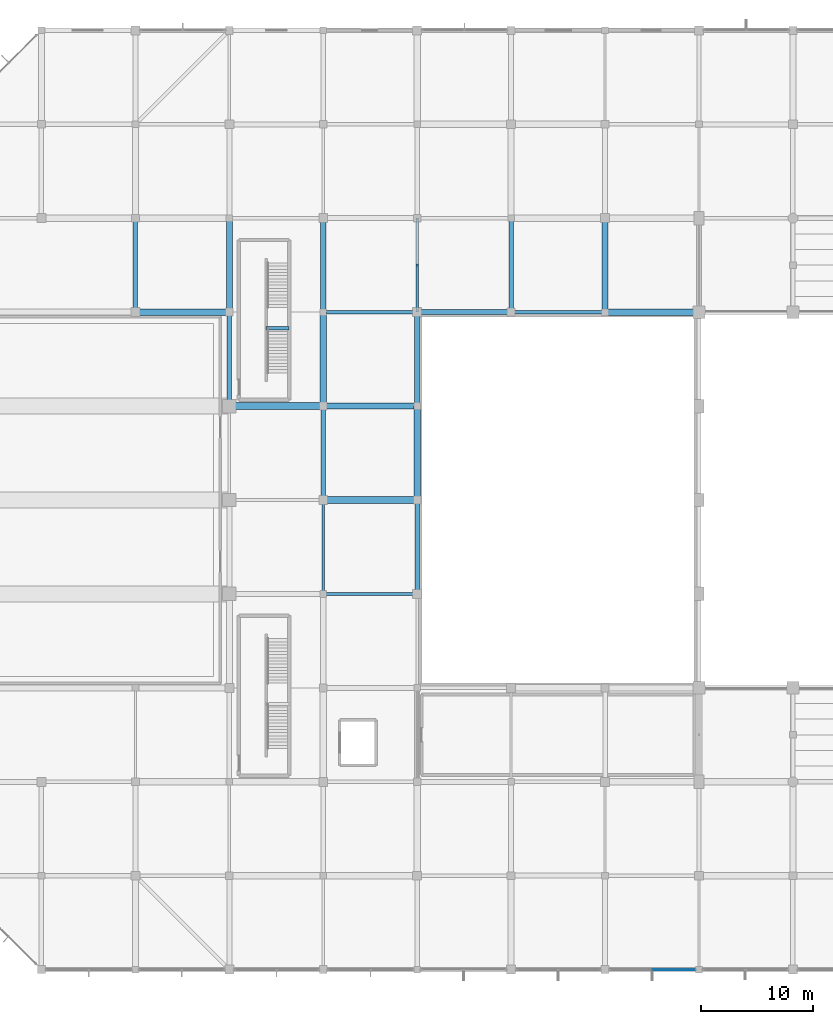
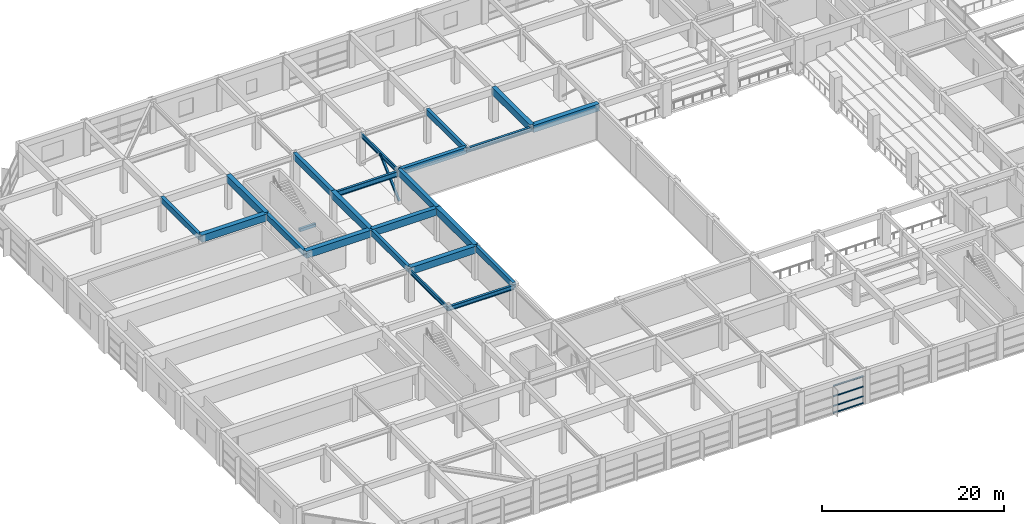
# One storey, part 19 of 62: 23 beams, 5 members, 1 element without a shape of its own.
"""IFC4 building model written with IfcOpenShell, lengths in metres."""

from ifc_helpers import new_model, si_unit, direction, frame, origin, origin_2d, place, context, subcontext, project, spatial, rectangle, hollow_rectangle, i_section, extrude, material, material_profile, profile_set, type_object, element, aggregate, save


model = new_model("IFC4")

# Units and contexts
model_context = context("Model", 3, precision=1e-05, world=origin(), true_north=direction((0.0, 1.0)))
body_context = subcontext(model_context, "Body", "Model", "MODEL_VIEW")
ifc_project = project(units=[si_unit("LENGTHUNIT", "METRE"), si_unit("AREAUNIT", "SQUARE_METRE"), si_unit("VOLUMEUNIT", "CUBIC_METRE"), si_unit("PLANEANGLEUNIT", "RADIAN"), si_unit("MASSUNIT", "GRAM", prefix="KILO")], contexts=[model_context])

# Site, building, storey
site_placement = place(None, origin())
site = spatial("IfcSite", under=ifc_project, at=site_placement, CompositionType="ELEMENT")
building_placement = place(site_placement, origin())
building = spatial("IfcBuilding", under=site, at=building_placement, Name="Xuanlan Plaza Opera House", CompositionType="ELEMENT")
storey_placement = place(building_placement, frame((0.0, 0.0, 14.39990234375)))
storey = spatial("IfcBuildingStorey", under=building, at=storey_placement, Name="L03", CompositionType="ELEMENT", Elevation=14.39990234375)

# Curtain wall, members
ifc_material_1 = material(Name="Anodised Aluminium 6063-T6 and Low-E Glass", Category="aluminium")
curtain_wall_type = type_object("IfcCurtainWallType", Name="ENV-CW-CW-06", PredefinedType="USERDEFINED", material=ifc_material_1)
curtain_wall_placement = place(storey_placement, origin())
curtain_wall = element("IfcCurtainWall", 1, at=curtain_wall_placement, inside=storey, type_object=curtain_wall_type, Name="Acoustic Glazed Wall L03-007", ObjectType="ACOUSTIC GLAZED WALL", PredefinedType="USERDEFINED")
ifc_material_2 = material(Name="Anodised Aluminium 6063-T6", Category="aluminium")
ifc_material_profile_1 = material_profile(ifc_material_2, rectangle(XDim=0.080078125, YDim=0.1650390625, at=origin_2d()), Name="ALU-T 80x165")
ifc_profile_set_1 = profile_set([ifc_material_profile_1], Name="Anodised Aluminium 6063-T6")
member_type_1 = type_object("IfcMemberType", Name="ENV-CWT-04", PredefinedType="USERDEFINED", material=ifc_profile_set_1)
member_1_placement = place(storey_placement, frame((63.06005859375, 16.800048828125, 0.0400390625), z_axis=(1.0, 0.0, 0.0), x_axis=(0.0, 1.0, 0.0)))
member_1 = element("IfcMember", 2, at=member_1_placement, type_object=member_type_1, Name="CW-06 transom 2.1", ObjectType="TRANSOM", PredefinedType="USERDEFINED", context=body_context, shape_type="SweptSolid", body=[
    extrude(rectangle(XDim=0.080078125, YDim=0.1650390625, at=origin_2d()), origin(), (0.0, 0.0, 1.0), 3.75),
])
member_2_placement = place(storey_placement, frame((63.06005859375, 16.800048828125, 0.9501953125), z_axis=(1.0, 0.0, 0.0), x_axis=(0.0, 1.0, 0.0)))
member_2 = element("IfcMember", 3, at=member_2_placement, type_object=member_type_1, Name="CW-06 transom 2.2", ObjectType="TRANSOM", PredefinedType="USERDEFINED", context=body_context, shape_type="SweptSolid", body=[
    extrude(rectangle(XDim=0.080078125, YDim=0.1650390625, at=origin_2d()), origin(), (0.0, 0.0, 1.0), 3.75),
])
member_3_placement = place(storey_placement, frame((63.06005859375, 16.800048828125, 2.25), z_axis=(1.0, 0.0, 0.0), x_axis=(0.0, 1.0, 0.0)))
member_3 = element("IfcMember", 4, at=member_3_placement, type_object=member_type_1, Name="CW-06 transom 2.3", ObjectType="TRANSOM", PredefinedType="USERDEFINED", context=body_context, shape_type="SweptSolid", body=[
    extrude(rectangle(XDim=0.080078125, YDim=0.1650390625, at=origin_2d()), origin(), (0.0, 0.0, 1.0), 3.75),
])
member_4_placement = place(storey_placement, frame((63.06005859375, 16.800048828125, 3.64013671875), z_axis=(1.0, 0.0, 0.0), x_axis=(0.0, 1.0, 0.0)))
member_4 = element("IfcMember", 5, at=member_4_placement, type_object=member_type_1, Name="CW-06 transom 2.4", ObjectType="TRANSOM", PredefinedType="USERDEFINED", context=body_context, shape_type="SweptSolid", body=[
    extrude(rectangle(XDim=0.080078125, YDim=0.1650390625, at=origin_2d()), origin(), (0.0, 0.0, 1.0), 3.75),
])
aggregate(curtain_wall, [member_1, member_2, member_3, member_4])

# Beams
ifc_material_3 = material(Name="Concrete C50", Category="concrete")
ifc_material_profile_2 = material_profile(ifc_material_3, rectangle(XDim=0.60009765625, YDim=0.949951171875, at=origin_2d()), Name="RC-BM 600x950")
ifc_profile_set_2 = profile_set([ifc_material_profile_2], Name="Concrete C50")
beam_type_1 = type_object("IfcBeamType", Name="STR-BM-B-01", PredefinedType="BEAM", material=ifc_profile_set_2)
beam_1_placement = place(storey_placement, frame((33.60009765625, 58.800048828125, 4.025146484375), z_axis=(1.0, 0.0, 0.0), x_axis=(0.0, 1.0, 0.0)))
element("IfcBeam", 6, at=beam_1_placement, inside=storey, type_object=beam_type_1, Name="Grid Beam X L03 5-6/H", PredefinedType="BEAM", context=body_context, shape_type="SweptSolid", body=[
    extrude(rectangle(XDim=0.60009765625, YDim=0.949951171875, at=origin_2d()), origin(), (0.0, 0.0, 1.0), 8.39990234375),
])
beam_2_placement = place(storey_placement, frame((25.199951171875, 67.199951171875, 4.025146484375), z_axis=(1.0, 0.0, 0.0), x_axis=(0.0, 1.0, 0.0)))
element("IfcBeam", 7, at=beam_2_placement, inside=storey, type_object=beam_type_1, Name="Grid Beam X L03 4-5/I", PredefinedType="BEAM", context=body_context, shape_type="SweptSolid", body=[
    extrude(rectangle(XDim=0.60009765625, YDim=0.949951171875, at=origin_2d()), origin(), (0.0, 0.0, 1.0), 8.400146484375),
])
for number, where, z_axis, x_axis, name in (
    (8, (16.800048828125, 75.60009765625, 4.025146484375), (1.0, 0.0, 0.0), (0.0, 1.0, 0.0), "Grid Beam X L03 3-4/J"),
    (9, (58.800048828125, 75.60009765625, 4.025146484375), (1.0, 0.0, 0.0), (0.0, 1.0, 0.0), "Grid Beam X L03 8-9/J"),
):
    element("IfcBeam", number, at=place(storey_placement, frame(where, z_axis=z_axis, x_axis=x_axis)), inside=storey, type_object=beam_type_1, Name=name, PredefinedType="BEAM", context=body_context, shape_type="SweptSolid", body=[
        extrude(rectangle(XDim=0.60009765625, YDim=0.949951171875, at=origin_2d()), origin(), (0.0, 0.0, 1.0), 8.39990234375),
    ])
ifc_material_profile_3 = material_profile(ifc_material_3, rectangle(XDim=0.550048828125, YDim=0.949951171875, at=origin_2d()), Name="RC-BM 550x950")
ifc_profile_set_3 = profile_set([ifc_material_profile_3], Name="Concrete C50")
beam_type_2 = type_object("IfcBeamType", Name="STR-BM-B-02", PredefinedType="BEAM", material=ifc_profile_set_3)
for number, where, z_axis, x_axis, name in (
    (10, (33.60009765625, 67.199951171875, 4.025146484375), (1.0, 0.0, 0.0), (0.0, 1.0, 0.0), "Grid Beam X L03 5-6/I"),
    (11, (25.199951171875, 75.60009765625, 4.025146484375), (0.0, 1.0, 0.0), (-1.0, 0.0, 0.0), "Grid Beam Y L03 4/J-K"),
):
    element("IfcBeam", number, at=place(storey_placement, frame(where, z_axis=z_axis, x_axis=x_axis)), inside=storey, type_object=beam_type_2, Name=name, PredefinedType="BEAM", context=body_context, shape_type="SweptSolid", body=[
        extrude(rectangle(XDim=0.550048828125, YDim=0.949951171875, at=origin_2d()), origin(), (0.0, 0.0, 1.0), 8.39990234375),
    ])
beam_3_placement = place(storey_placement, frame((33.60009765625, 67.199951171875, 4.025146484375), z_axis=(0.0, 1.0, 0.0), x_axis=(-1.0, 0.0, 0.0)))
element("IfcBeam", 12, at=beam_3_placement, inside=storey, type_object=beam_type_2, Name="Grid Beam Y L03 5/I-J", PredefinedType="BEAM", context=body_context, shape_type="SweptSolid", body=[
    extrude(rectangle(XDim=0.550048828125, YDim=0.949951171875, at=origin_2d()), origin(), (0.0, 0.0, 1.0), 8.400146484375),
])
for number, where, z_axis, x_axis, name in (
    (13, (42.0, 58.800048828125, 4.025146484375), (0.0, 1.0, 0.0), (-1.0, 0.0, 0.0), "Grid Beam Y L03 6/H-I"),
    (14, (58.800048828125, 75.60009765625, 4.025146484375), (0.0, 1.0, 0.0), (-1.0, 0.0, 0.0), "Grid Beam Y L03 8/J-K"),
):
    element("IfcBeam", number, at=place(storey_placement, frame(where, z_axis=z_axis, x_axis=x_axis)), inside=storey, type_object=beam_type_2, Name=name, PredefinedType="BEAM", context=body_context, shape_type="SweptSolid", body=[
        extrude(rectangle(XDim=0.550048828125, YDim=0.949951171875, at=origin_2d()), origin(), (0.0, 0.0, 1.0), 8.39990234375),
    ])
ifc_material_4 = material(Name="Concrete C40", Category="concrete")
ifc_material_profile_4 = material_profile(ifc_material_4, rectangle(XDim=0.449951171875, YDim=0.85009765625, at=origin_2d()), Name="RC-BM 450x850")
ifc_profile_set_4 = profile_set([ifc_material_profile_4], Name="Concrete C40")
beam_type_3 = type_object("IfcBeamType", Name="STR-BM-B-04", PredefinedType="BEAM", material=ifc_profile_set_4)
for number, where, z_axis, x_axis, name in (
    (15, (42.0, 75.60009765625, 4.0751953125), (1.0, 0.0, 0.0), (0.0, 1.0, 0.0), "Grid Beam X L03 6-7/J"),
    (16, (33.60009765625, 75.60009765625, 4.0751953125), (0.0, 1.0, 0.0), (-1.0, 0.0, 0.0), "Grid Beam Y L03 5/J-K"),
):
    element("IfcBeam", number, at=place(storey_placement, frame(where, z_axis=z_axis, x_axis=x_axis)), inside=storey, type_object=beam_type_3, Name=name, PredefinedType="BEAM", context=body_context, shape_type="SweptSolid", body=[
        extrude(rectangle(XDim=0.449951171875, YDim=0.85009765625, at=origin_2d()), origin(), (0.0, 0.0, 1.0), 8.39990234375),
    ])
beam_4_placement = place(storey_placement, frame((42.0, 67.199951171875, 4.0751953125), z_axis=(0.0, 1.0, 0.0), x_axis=(-1.0, 0.0, 0.0)))
element("IfcBeam", 17, at=beam_4_placement, inside=storey, type_object=beam_type_3, Name="Grid Beam Y L03 6/I-J", PredefinedType="BEAM", context=body_context, shape_type="SweptSolid", body=[
    extrude(rectangle(XDim=0.449951171875, YDim=0.85009765625, at=origin_2d()), origin(), (0.0, 0.0, 1.0), 8.400146484375),
])
ifc_material_profile_5 = material_profile(ifc_material_4, rectangle(XDim=0.39990234375, YDim=0.75, at=origin_2d()), Name="RC-BM 400x750")
ifc_profile_set_5 = profile_set([ifc_material_profile_5], Name="Concrete C40")
beam_type_4 = type_object("IfcBeamType", Name="STR-BM-B-06", PredefinedType="BEAM", material=ifc_profile_set_5)
beam_5_placement = place(storey_placement, frame((16.800048828125, 75.60009765625, 4.125), z_axis=(0.0, 1.0, 0.0), x_axis=(-1.0, 0.0, 0.0)))
element("IfcBeam", 18, at=beam_5_placement, inside=storey, type_object=beam_type_4, Name="Grid Beam Y L03 3/J-K", PredefinedType="BEAM", context=body_context, shape_type="SweptSolid", body=[
    extrude(rectangle(XDim=0.39990234375, YDim=0.75, at=origin_2d()), origin(), (0.0, 0.0, 1.0), 8.39990234375),
])
beam_6_placement = place(storey_placement, frame((25.199951171875, 67.199951171875, 4.125), z_axis=(0.0, 1.0, 0.0), x_axis=(-1.0, 0.0, 0.0)))
element("IfcBeam", 19, at=beam_6_placement, inside=storey, type_object=beam_type_4, Name="Grid Beam Y L03 4/I-J", PredefinedType="BEAM", context=body_context, shape_type="SweptSolid", body=[
    extrude(rectangle(XDim=0.39990234375, YDim=0.75, at=origin_2d()), origin(), (0.0, 0.0, 1.0), 8.400146484375),
])
beam_7_placement = place(storey_placement, frame((33.60009765625, 58.800048828125, 4.125), z_axis=(0.0, 1.0, 0.0), x_axis=(-1.0, 0.0, 0.0)))
element("IfcBeam", 20, at=beam_7_placement, inside=storey, type_object=beam_type_4, Name="Grid Beam Y L03 5/H-I", PredefinedType="BEAM", context=body_context, shape_type="SweptSolid", body=[
    extrude(rectangle(XDim=0.39990234375, YDim=0.75, at=origin_2d()), origin(), (0.0, 0.0, 1.0), 8.39990234375),
])
beam_8_placement = place(storey_placement, frame((42.0, 50.39990234375, 4.125), z_axis=(0.0, 1.0, 0.0), x_axis=(-1.0, 0.0, 0.0)))
element("IfcBeam", 21, at=beam_8_placement, inside=storey, type_object=beam_type_4, Name="Grid Beam Y L03 6/G-H", PredefinedType="BEAM", context=body_context, shape_type="SweptSolid", body=[
    extrude(rectangle(XDim=0.39990234375, YDim=0.75, at=origin_2d()), origin(), (0.0, 0.0, 1.0), 8.400146484375),
])
beam_9_placement = place(storey_placement, frame((50.39990234375, 75.60009765625, 4.125), z_axis=(0.0, 1.0, 0.0), x_axis=(-1.0, 0.0, 0.0)))
element("IfcBeam", 22, at=beam_9_placement, inside=storey, type_object=beam_type_4, Name="Grid Beam Y L03 7/J-K", PredefinedType="BEAM", context=body_context, shape_type="SweptSolid", body=[
    extrude(rectangle(XDim=0.39990234375, YDim=0.75, at=origin_2d()), origin(), (0.0, 0.0, 1.0), 8.39990234375),
])
ifc_material_profile_6 = material_profile(ifc_material_4, rectangle(XDim=0.300048828125, YDim=0.39990234375, at=origin_2d()), Name="RC-LNT 300x400")
ifc_profile_set_6 = profile_set([ifc_material_profile_6], Name="Concrete C40")
beam_type_5 = type_object("IfcBeamType", Name="STR-BM-LN-01", PredefinedType="LINTEL", material=ifc_profile_set_6)
beam_10_placement = place(storey_placement, frame((28.5, 74.159912109375, 1.85009765625), z_axis=(1.0, 0.0, 0.0), x_axis=(0.0, 1.0, 0.0)))
element("IfcBeam", 23, at=beam_10_placement, inside=storey, type_object=beam_type_5, Name="Stair Mid-Landing Trimmer Beam ST-P2 L03", PredefinedType="LINTEL", context=body_context, shape_type="SweptSolid", body=[
    extrude(rectangle(XDim=0.300048828125, YDim=0.39990234375, at=origin_2d()), origin(), (0.0, 0.0, 1.0), 2.050048828125),
])
ifc_material_5 = material(Name="Steel Q355B", Category="steel")
ifc_material_profile_7 = material_profile(ifc_material_5, i_section(OverallWidth=0.300048828125, OverallDepth=0.699951171875, WebThickness=0.012939453125, FlangeThickness=0.02392578125, FilletRadius=0.02392578125, at=origin_2d()), Name="HN 700x300x13x24")
ifc_profile_set_7 = profile_set([ifc_material_profile_7], Name="Steel Q355B")
beam_type_6 = type_object("IfcBeamType", Name="STR-BM-SB-03", PredefinedType="BEAM", material=ifc_profile_set_7)
beam_11_placement = place(storey_placement, frame((33.60009765625, 75.60009765625, 3.885009765625), z_axis=(1.0, 0.0, 0.0), x_axis=(0.0, 1.0, 0.0)))
element("IfcBeam", 24, at=beam_11_placement, inside=storey, type_object=beam_type_6, Name="Grid Beam X L03 5-6/J", PredefinedType="BEAM", context=body_context, shape_type="SweptSolid", body=[
    extrude(i_section(OverallWidth=0.300048828125, OverallDepth=0.699951171875, WebThickness=0.012939453125, FlangeThickness=0.02392578125, FilletRadius=0.02392578125, at=origin_2d()), origin(), (0.0, 0.0, 1.0), 8.39990234375),
])
ifc_material_profile_8 = material_profile(ifc_material_5, i_section(OverallWidth=0.199951171875, OverallDepth=0.60009765625, WebThickness=0.010986328125, FlangeThickness=0.01708984375, FilletRadius=0.02197265625, at=origin_2d()), Name="HN 600x200x11x17")
ifc_profile_set_8 = profile_set([ifc_material_profile_8], Name="Steel Q355B")
beam_type_7 = type_object("IfcBeamType", Name="STR-BM-SB-04", PredefinedType="BEAM", material=ifc_profile_set_8)
beam_12_placement = place(storey_placement, frame((33.60009765625, 50.39990234375, 3.93505859375), z_axis=(0.0, 1.0, 0.0), x_axis=(-1.0, 0.0, 0.0)))
element("IfcBeam", 25, at=beam_12_placement, inside=storey, type_object=beam_type_7, Name="Grid Beam Y L03 5/G-H", PredefinedType="BEAM", context=body_context, shape_type="SweptSolid", body=[
    extrude(i_section(OverallWidth=0.199951171875, OverallDepth=0.60009765625, WebThickness=0.010986328125, FlangeThickness=0.01708984375, FilletRadius=0.02197265625, at=origin_2d()), origin(), (0.0, 0.0, 1.0), 8.400146484375),
])
beam_13_placement = place(storey_placement, frame((42.0, 75.60009765625, 3.93505859375), z_axis=(0.0, 1.0, 0.0), x_axis=(-1.0, 0.0, 0.0)))
element("IfcBeam", 26, at=beam_13_placement, inside=storey, type_object=beam_type_7, Name="Grid Beam Y L03 6/J-K", PredefinedType="BEAM", context=body_context, shape_type="SweptSolid", body=[
    extrude(i_section(OverallWidth=0.199951171875, OverallDepth=0.60009765625, WebThickness=0.010986328125, FlangeThickness=0.01708984375, FilletRadius=0.02197265625, at=origin_2d()), origin(), (0.0, 0.0, 1.0), 8.39990234375),
])
ifc_material_profile_9 = material_profile(ifc_material_5, i_section(OverallWidth=0.300048828125, OverallDepth=0.587890625, WebThickness=0.011962890625, FlangeThickness=0.02001953125, FilletRadius=0.02392578125, at=origin_2d()), Name="HM 588x300x12x20")
ifc_profile_set_9 = profile_set([ifc_material_profile_9], Name="Steel Q355B")
beam_type_8 = type_object("IfcBeamType", Name="STR-BM-SB-06", PredefinedType="BEAM", material=ifc_profile_set_9)
beam_14_placement = place(storey_placement, frame((33.60009765625, 50.39990234375, 3.941162109375), z_axis=(1.0, 0.0, 0.0), x_axis=(0.0, 1.0, 0.0)))
element("IfcBeam", 27, at=beam_14_placement, inside=storey, type_object=beam_type_8, Name="Grid Beam X L03 5-6/G", PredefinedType="BEAM", context=body_context, shape_type="SweptSolid", body=[
    extrude(i_section(OverallWidth=0.300048828125, OverallDepth=0.587890625, WebThickness=0.011962890625, FlangeThickness=0.02001953125, FilletRadius=0.02392578125, at=origin_2d()), origin(), (0.0, 0.0, 1.0), 8.39990234375),
])
beam_15_placement = place(storey_placement, frame((50.39990234375, 75.60009765625, 3.941162109375), z_axis=(1.0, 0.0, 0.0), x_axis=(0.0, 1.0, 0.0)))
element("IfcBeam", 28, at=beam_15_placement, inside=storey, type_object=beam_type_8, Name="Grid Beam X L03 7-8/J", PredefinedType="BEAM", context=body_context, shape_type="SweptSolid", body=[
    extrude(i_section(OverallWidth=0.300048828125, OverallDepth=0.587890625, WebThickness=0.011962890625, FlangeThickness=0.02001953125, FilletRadius=0.02392578125, at=origin_2d()), origin(), (0.0, 0.0, 1.0), 8.400146484375),
])

# Member
ifc_material_profile_10 = material_profile(ifc_material_5, hollow_rectangle(XDim=0.25, YDim=0.25, WallThickness=0.011962890625, at=origin_2d()), Name="SHS 250x250x12")
ifc_profile_set_10 = profile_set([ifc_material_profile_10], Name="Steel Q355B")
member_type_2 = type_object("IfcMemberType", Name="STR-MEM-BR-06", PredefinedType="BRACE", material=ifc_profile_set_10)
member_5_placement = place(storey_placement, frame((42.0, 75.60009765625, 0.10009765625), z_axis=(0.0, 0.737141689437, 0.675738210918), x_axis=(-1.0, 0.0, 0.0)))
element("IfcMember", 29, at=member_5_placement, inside=storey, type_object=member_type_2, Name="Stage Lateral Chevron Brace L03-1A", PredefinedType="BRACE", context=body_context, shape_type="SweptSolid", body=[
    extrude(hollow_rectangle(XDim=0.25, YDim=0.25, WallThickness=0.011962890625, at=origin_2d()), origin(), (0.0, 0.0, 1.0), 5.697509765625),
])

save(model, "model.ifc")
